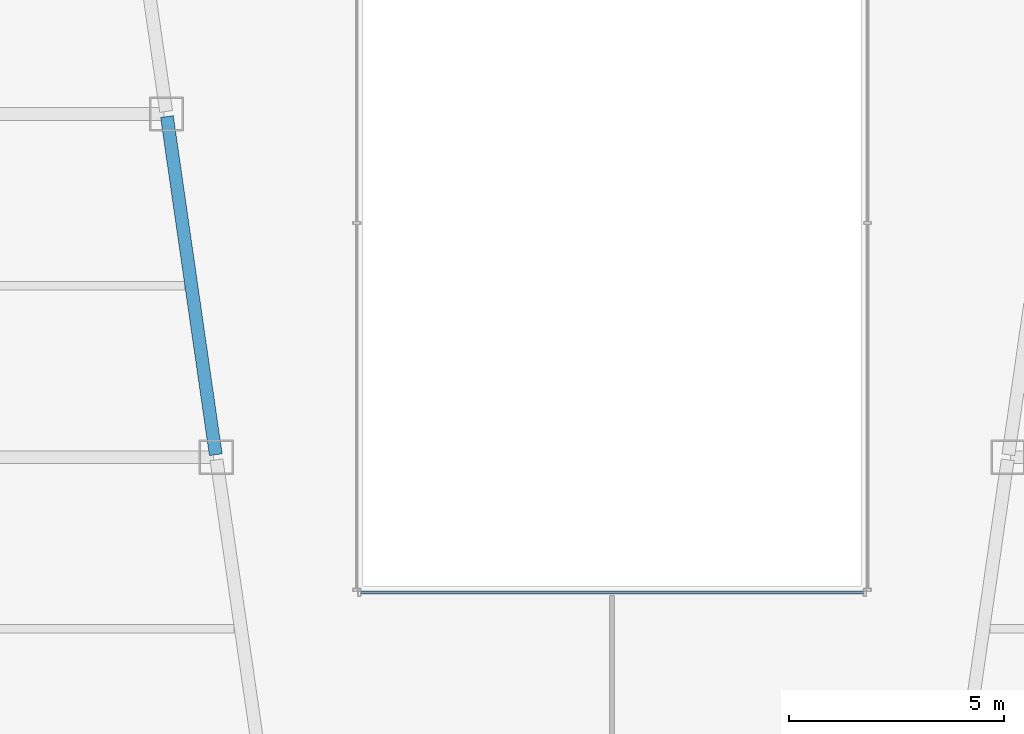
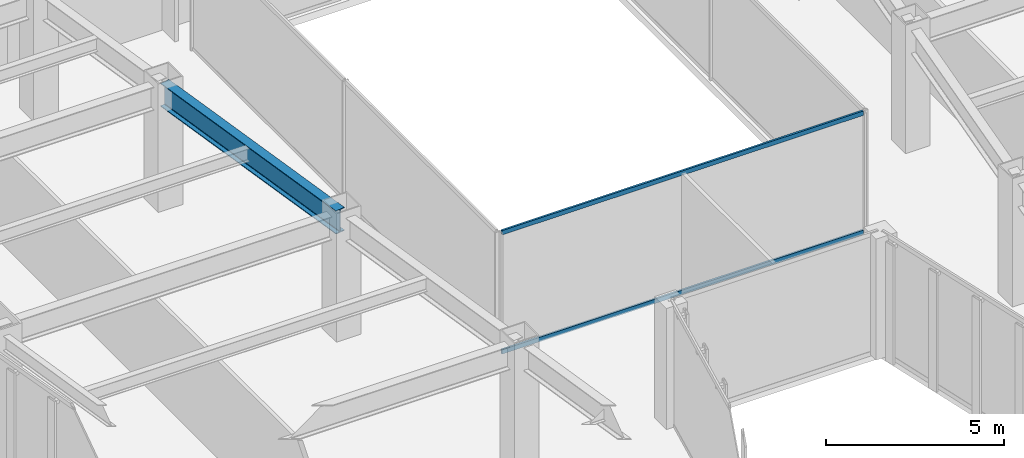
# One storey, part 13 of 47: 2 members, 1 beam, 1 element without a shape of its own.
"""IFC4 building model written with IfcOpenShell, lengths in metres."""

from ifc_helpers import new_model, si_unit, direction, frame, origin, origin_2d, place, context, subcontext, project, spatial, hollow_rectangle, i_section, extrude, material, material_profile, profile_set, type_object, element, aggregate, save


model = new_model("IFC4")

# Units and contexts
model_context = context("Model", 3, precision=1e-05, world=origin(), true_north=direction((0.0, 1.0)))
body_context = subcontext(model_context, "Body", "Model", "MODEL_VIEW")
ifc_project = project(units=[si_unit("LENGTHUNIT", "METRE"), si_unit("AREAUNIT", "SQUARE_METRE"), si_unit("VOLUMEUNIT", "CUBIC_METRE"), si_unit("PLANEANGLEUNIT", "RADIAN"), si_unit("MASSUNIT", "GRAM", prefix="KILO")], contexts=[model_context])

# Site, building, storey
site_placement = place(None, origin())
site = spatial("IfcSite", under=ifc_project, at=site_placement, CompositionType="ELEMENT")
building_placement = place(site_placement, origin())
building = spatial("IfcBuilding", under=site, at=building_placement, Name="Saevonmaru Cultural Tower", CompositionType="ELEMENT")
storey_placement = place(building_placement, frame((0.0, 0.0, 60.39990234375)))
storey = spatial("IfcBuildingStorey", under=building, at=storey_placement, Name="L12", CompositionType="ELEMENT", Elevation=60.39990234375)

# Beam
ifc_material_1 = material(Name="Steel SM420", Category="steel")
ifc_material_profile_1 = material_profile(ifc_material_1, i_section(OverallWidth=0.300048828125, OverallDepth=0.800048828125, WebThickness=0.013916015625, FlangeThickness=0.02587890625, FilletRadius=0.028076171875, at=origin_2d()), Name="H-800x300x14x26")
ifc_profile_set_1 = profile_set([ifc_material_profile_1], Name="Steel SM420")
beam_type = type_object("IfcBeamType", Name="BM-G-H800", PredefinedType="BEAM", material=ifc_profile_set_1)
beam_placement = place(storey_placement, frame((20.763427734375, 24.059326171875, 3.75), z_axis=(-0.142902032203, 0.989736838353, 0.0), x_axis=(-0.989736838353, -0.142902032203, 0.0)))
element("IfcBeam", 1, at=beam_placement, inside=storey, type_object=beam_type, Name="L12 West Atrium Girder 4", PredefinedType="BEAM", context=body_context, shape_type="SweptSolid", body=[
    extrude(i_section(OverallWidth=0.300048828125, OverallDepth=0.800048828125, WebThickness=0.013916015625, FlangeThickness=0.02587890625, FilletRadius=0.028076171875, at=origin_2d()), origin(), (0.0, 0.0, 1.0), 7.963134765625),
])

# Curtain wall, members
ifc_material_2 = material(Name="Satin Bronze Anodised Aluminium", Category="aluminium")
curtain_wall_type = type_object("IfcCurtainWallType", Name="CW-ATR-GLZ", PredefinedType="NOTDEFINED", material=ifc_material_2)
curtain_wall_placement = place(storey_placement, origin())
curtain_wall = element("IfcCurtainWall", 2, at=curtain_wall_placement, inside=storey, type_object=curtain_wall_type, Name="L12 Vertical Atrium Glazed Smoke Screen 1", PredefinedType="NOTDEFINED")
ifc_material_profile_2 = material_profile(ifc_material_2, hollow_rectangle(XDim=0.06494140625, YDim=0.14990234375, WallThickness=0.00390625, at=origin_2d()), Name="ALU-TRAN-150x65x4")
ifc_profile_set_2 = profile_set([ifc_material_profile_2], Name="Satin Bronze Anodised Aluminium")
member_type = type_object("IfcMemberType", Name="TR-CW-INT-150x65", PredefinedType="USERDEFINED", material=ifc_profile_set_2)
member_1_placement = place(storey_placement, frame((24.142578125, 20.85009765625, 0.03271484375), z_axis=(1.0, 0.0, 0.0), x_axis=(0.0, 1.0, 0.0)))
member_1 = element("IfcMember", 3, at=member_1_placement, type_object=member_type, Name="CW-ATR-L12-1 transom 1.1", ObjectType="TRANSOM", PredefinedType="USERDEFINED", context=body_context, shape_type="SweptSolid", body=[
    extrude(hollow_rectangle(XDim=0.06494140625, YDim=0.14990234375, WallThickness=0.00390625, at=origin_2d()), origin(), (0.0, 0.0, 1.0), 11.71484375),
])
member_2_placement = place(storey_placement, frame((24.142578125, 20.85009765625, 4.11767578125), z_axis=(1.0, 0.0, 0.0), x_axis=(0.0, 1.0, 0.0)))
member_2 = element("IfcMember", 4, at=member_2_placement, type_object=member_type, Name="CW-ATR-L12-1 transom 1.2", ObjectType="TRANSOM", PredefinedType="USERDEFINED", context=body_context, shape_type="SweptSolid", body=[
    extrude(hollow_rectangle(XDim=0.06494140625, YDim=0.14990234375, WallThickness=0.00390625, at=origin_2d()), origin(), (0.0, 0.0, 1.0), 11.71484375),
])
aggregate(curtain_wall, [member_1, member_2])

save(model, "model.ifc")
